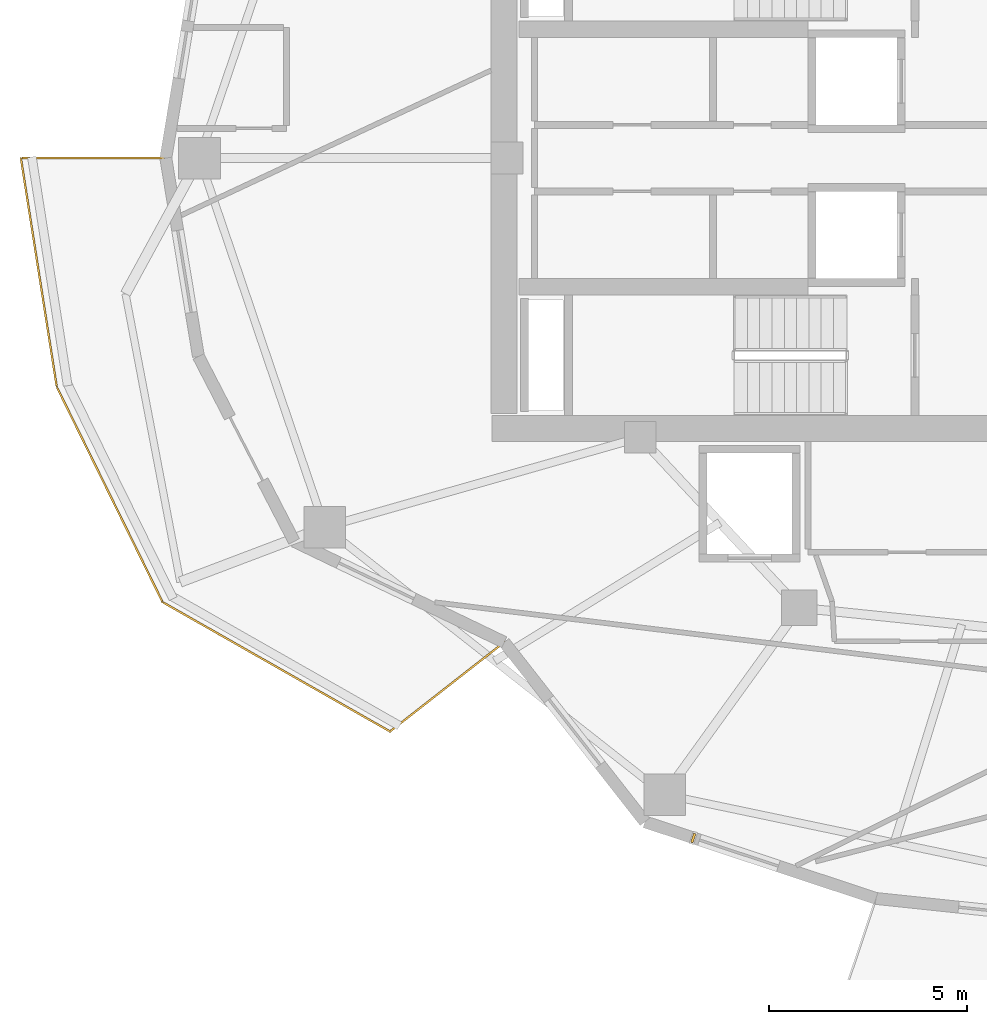
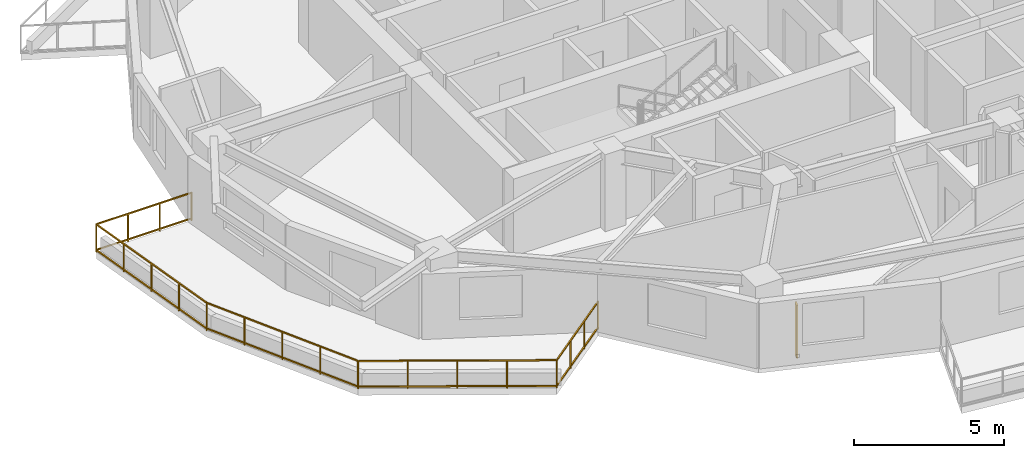
# One storey, part 10 of 14: 1 railing, 1 shading device.
"""IFC4 building model written with IfcOpenShell, lengths in metres."""

from ifc_helpers import new_model, si_unit, direction, frame, origin, origin_2d, place, context, subcontext, project, spatial, rectangle, extrude, material, type_object, element, save


model = new_model("IFC4")

# Units and contexts
model_context = context("Model", 3, precision=1e-05, world=origin(), true_north=direction((0.0, 1.0)))
body_context = subcontext(model_context, "Body", "Model", "MODEL_VIEW")
ifc_project = project(units=[si_unit("LENGTHUNIT", "METRE"), si_unit("AREAUNIT", "SQUARE_METRE"), si_unit("VOLUMEUNIT", "CUBIC_METRE"), si_unit("PLANEANGLEUNIT", "RADIAN"), si_unit("MASSUNIT", "GRAM", prefix="KILO")], contexts=[model_context])

# Site, building, storey
site_placement = place(None, origin())
site = spatial("IfcSite", under=ifc_project, at=site_placement, CompositionType="ELEMENT")
building_placement = place(site_placement, origin())
building = spatial("IfcBuilding", under=site, at=building_placement, Name="Kolvaren Gate Tower and Convention Centre", CompositionType="ELEMENT")
storey_placement = place(building_placement, frame((0.0, 0.0, 118.89990234375)))
storey = spatial("IfcBuildingStorey", under=building, at=storey_placement, Name="L29", CompositionType="ELEMENT", Elevation=118.89990234375)

# Railing
ifc_material_1 = material(Name="Brushed Stainless Steel Grade 316L", Category="steel")
railing_type = type_object("IfcRailingType", Name="ARCH-RL-GUARD-1150", PredefinedType="GUARDRAIL", material=ifc_material_1)
railing_placement = place(storey_placement, frame((5.9375, 27.0, 0.0)))
element("IfcRailing", 1, at=railing_placement, inside=storey, type_object=railing_type, Name="Tower L29 Terrace Perimeter Guardrail GR-2", PredefinedType="GUARDRAIL", context=body_context, shape_type="SweptSolid", body=[
    extrude(rectangle(XDim=0.048095703125, YDim=0.048095703125, at=origin_2d()), frame((-0.028076171875, 0.0, 1.1259765625), z_axis=(-1.0, 0.0, 0.0), x_axis=(0.0, -1.0, 0.0)), (0.0, 0.0, 1.0), 3.603759765625),
    extrude(rectangle(XDim=0.048095703125, YDim=0.048095703125, at=origin_2d()), frame((-0.028076171875, 0.0, 0.083984375), z_axis=(-1.0, 0.0, 0.0), x_axis=(0.0, -1.0, 0.0)), (0.0, 0.0, 1.0), 3.603759765625),
    extrude(rectangle(XDim=0.048095703125, YDim=0.048095703125, at=origin_2d()), frame((-3.655517578125, -0.027587890625, 1.1259765625), z_axis=(0.154903030247, -0.987929679289, 0.0), x_axis=(0.987929679289, 0.154903030247, 0.0)), (0.0, 0.0, 1.0), 5.78955078125),
    extrude(rectangle(XDim=0.048095703125, YDim=0.048095703125, at=origin_2d()), frame((-3.655517578125, -0.027587890625, 0.083984375), z_axis=(0.154903030247, -0.987929679289, 0.0), x_axis=(0.987929679289, 0.154903030247, 0.0)), (0.0, 0.0, 1.0), 5.78955078125),
    extrude(rectangle(XDim=0.048095703125, YDim=0.048095703125, at=origin_2d()), frame((-2.741943359375, -5.80029296875, 1.1259765625), z_axis=(0.441237167293, -0.897390529368, 0.0), x_axis=(0.897390529368, 0.441237167293, 0.0)), (0.0, 0.0, 1.0), 5.999755859375),
    extrude(rectangle(XDim=0.048095703125, YDim=0.048095703125, at=origin_2d()), frame((-2.741943359375, -5.80029296875, 0.083984375), z_axis=(0.441237167293, -0.897390529368, 0.0), x_axis=(0.897390529368, 0.441237167293, 0.0)), (0.0, 0.0, 1.0), 5.999755859375),
    extrude(rectangle(XDim=0.048095703125, YDim=0.048095703125, at=origin_2d()), frame((-0.057861328125, -11.2236328125, 1.1259765625), z_axis=(0.869196694318, -0.494466486819, 0.0), x_axis=(0.494466486819, 0.869196694318, 0.0)), (0.0, 0.0, 1.0), 6.55029296875),
    extrude(rectangle(XDim=0.048095703125, YDim=0.048095703125, at=origin_2d()), frame((-0.057861328125, -11.2236328125, 0.083984375), z_axis=(0.869196694318, -0.494466486819, 0.0), x_axis=(0.494466486819, 0.869196694318, 0.0)), (0.0, 0.0, 1.0), 6.55029296875),
    extrude(rectangle(XDim=0.048095703125, YDim=0.048095703125, at=origin_2d()), frame((5.68212890625, -14.458984375, 1.1259765625), z_axis=(0.787963688807, 0.615721710776, 0.0), x_axis=(-0.615721710776, 0.787963688807, 0.0)), (0.0, 0.0, 1.0), 3.603759765625),
    extrude(rectangle(XDim=0.048095703125, YDim=0.048095703125, at=origin_2d()), frame((5.68212890625, -14.458984375, 0.083984375), z_axis=(0.787963688807, 0.615721710776, 0.0), x_axis=(-0.615721710776, 0.787963688807, 0.0)), (0.0, 0.0, 1.0), 3.603759765625),
    extrude(rectangle(XDim=0.0419921875, YDim=0.0419921875, at=origin_2d()), origin(), (0.0, 0.0, 1.0), 1.14990234375),
    extrude(rectangle(XDim=0.0419921875, YDim=0.0419921875, at=origin_2d()), frame((-3.659912109375, 0.0, 0.0)), (0.0, 0.0, 1.0), 1.14990234375),
    extrude(rectangle(XDim=0.0419921875, YDim=0.0419921875, at=origin_2d()), frame((-1.219970703125, 0.0, 0.0)), (0.0, 0.0, 1.0), 1.099853515625),
    extrude(rectangle(XDim=0.0419921875, YDim=0.0419921875, at=origin_2d()), frame((-2.43994140625, 0.0, 0.0)), (0.0, 0.0, 1.0), 1.099853515625),
    extrude(rectangle(XDim=0.0419921875, YDim=0.0419921875, at=origin_2d()), frame((-2.75439453125, -5.775146484375, 0.0)), (0.0, 0.0, 1.0), 1.14990234375),
    extrude(rectangle(XDim=0.0419921875, YDim=0.0419921875, at=origin_2d()), frame((-3.43359375, -1.44384765625, 0.0)), (0.0, 0.0, 1.0), 1.099853515625),
    extrude(rectangle(XDim=0.0419921875, YDim=0.0419921875, at=origin_2d()), frame((-3.20703125, -2.8876953125, 0.0)), (0.0, 0.0, 1.0), 1.099853515625),
    extrude(rectangle(XDim=0.0419921875, YDim=0.0419921875, at=origin_2d()), frame((-2.980712890625, -4.331298828125, 0.0)), (0.0, 0.0, 1.0), 1.099853515625),
    extrude(rectangle(XDim=0.0419921875, YDim=0.0419921875, at=origin_2d()), frame((-0.082275390625, -11.209716796875, 0.0)), (0.0, 0.0, 1.0), 1.14990234375),
    extrude(rectangle(XDim=0.0419921875, YDim=0.0419921875, at=origin_2d()), frame((-2.08642578125, -7.1337890625, 0.0)), (0.0, 0.0, 1.0), 1.099853515625),
    extrude(rectangle(XDim=0.0419921875, YDim=0.0419921875, at=origin_2d()), frame((-1.41845703125, -8.492431640625, 0.0)), (0.0, 0.0, 1.0), 1.099853515625),
    extrude(rectangle(XDim=0.0419921875, YDim=0.0419921875, at=origin_2d()), frame((-0.750244140625, -9.85107421875, 0.0)), (0.0, 0.0, 1.0), 1.099853515625),
    extrude(rectangle(XDim=0.0419921875, YDim=0.0419921875, at=origin_2d()), frame((5.659912109375, -14.476318359375, 0.0)), (0.0, 0.0, 1.0), 1.14990234375),
    extrude(rectangle(XDim=0.0419921875, YDim=0.0419921875, at=origin_2d()), frame((1.353271484375, -12.0263671875, 0.0)), (0.0, 0.0, 1.0), 1.099853515625),
    extrude(rectangle(XDim=0.0419921875, YDim=0.0419921875, at=origin_2d()), frame((2.788818359375, -12.843017578125, 0.0)), (0.0, 0.0, 1.0), 1.099853515625),
    extrude(rectangle(XDim=0.0419921875, YDim=0.0419921875, at=origin_2d()), frame((4.224365234375, -13.65966796875, 0.0)), (0.0, 0.0, 1.0), 1.099853515625),
    extrude(rectangle(XDim=0.0419921875, YDim=0.0419921875, at=origin_2d()), frame((8.543701171875, -12.222900390625, 0.0)), (0.0, 0.0, 1.0), 1.14990234375),
    extrude(rectangle(XDim=0.0419921875, YDim=0.0419921875, at=origin_2d()), frame((6.62109375, -13.72509765625, 0.0)), (0.0, 0.0, 1.0), 1.099853515625),
    extrude(rectangle(XDim=0.0419921875, YDim=0.0419921875, at=origin_2d()), frame((7.58251953125, -12.97412109375, 0.0)), (0.0, 0.0, 1.0), 1.099853515625),
])

# Shading device
ifc_material_2 = material(Name="Kiln-Fired Bogota Terracotta Ceramic Louvre Profile", Category="masonry")
shading_device_type = type_object("IfcShadingDeviceType", Name="ARCH-SHD-FIN-180", PredefinedType="JALOUSIE", material=ifc_material_2)
shading_device_placement = place(storey_placement, frame((19.255615234375, 9.836669921875, 0.22021484375), z_axis=(0.0, 0.0, 1.0), x_axis=(0.949240081615, -0.314552487599, 0.0)))
element("IfcShadingDevice", 2, at=shading_device_placement, inside=storey, type_object=shading_device_type, Name="Ceramic Vertical Brise-Soleil Fin FN-L29-16", PredefinedType="JALOUSIE", context=body_context, shape_type="SweptSolid", body=[
    extrude(rectangle(XDim=0.06005859375, YDim=0.239990234375, at=origin_2d()), origin(), (0.0, 0.0, 1.0), 2.14990234375),
])

save(model, "model.ifc")
